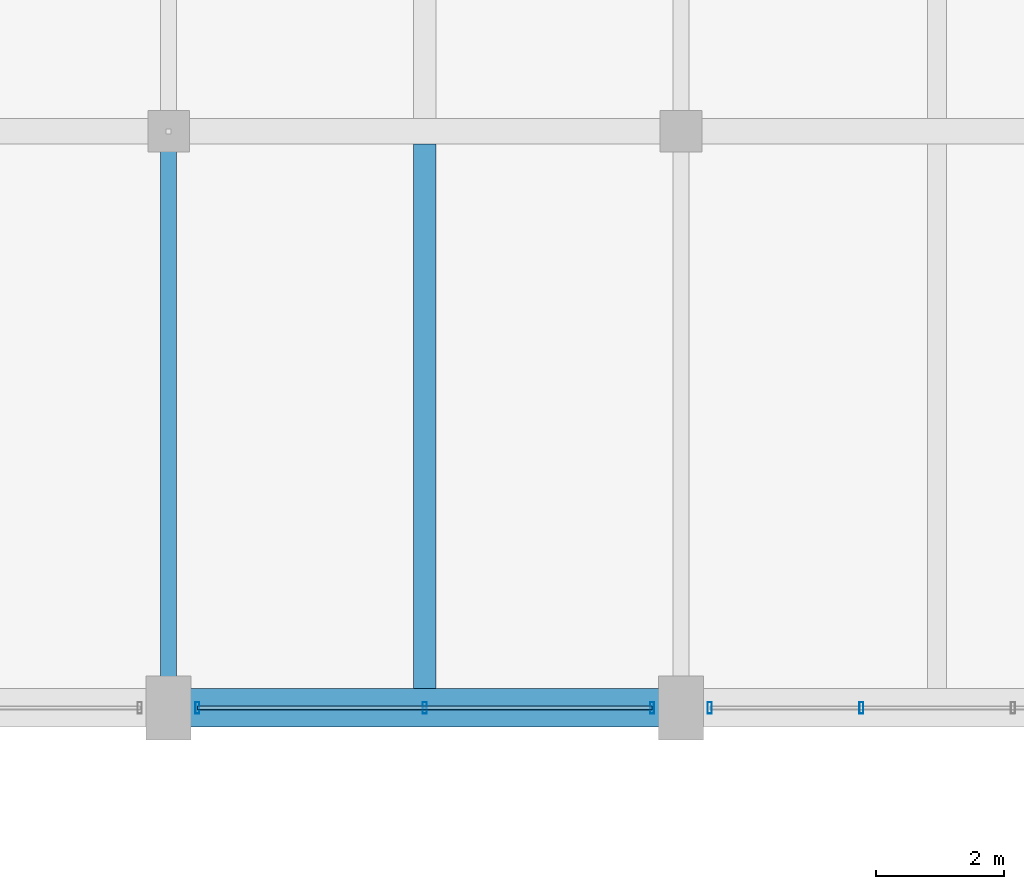
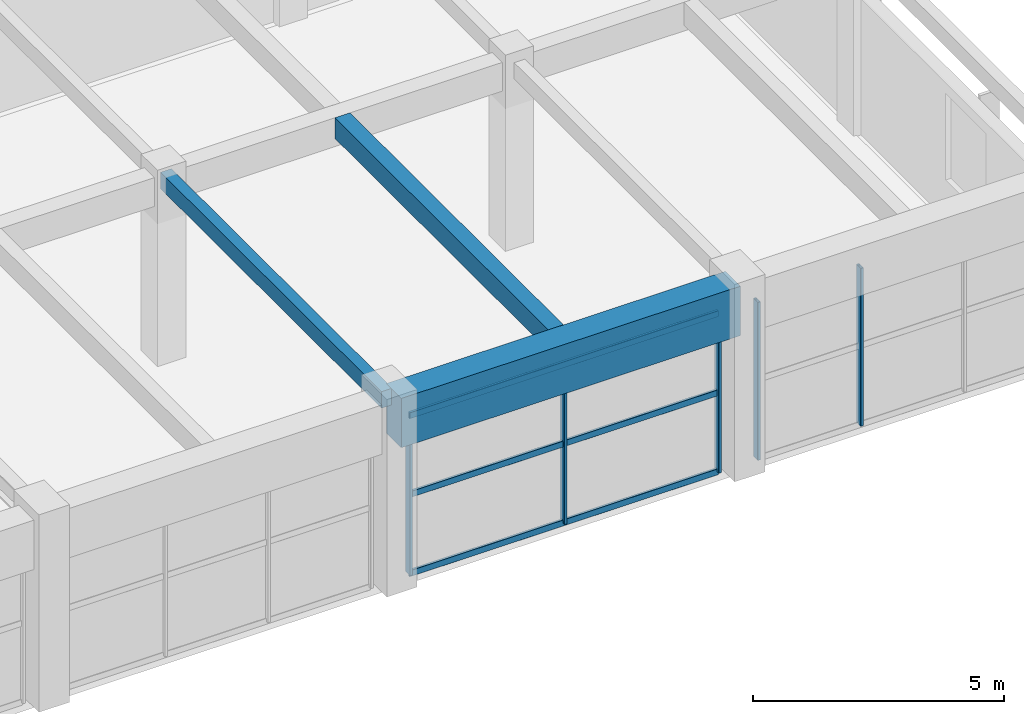
# One storey, part 89 of 144: 8 members, 3 beams, 2 elements without a shape of their own.
"""IFC4 building model written with IfcOpenShell, lengths in metres."""

from ifc_helpers import new_model, si_unit, direction, frame, origin, origin_2d, place, context, subcontext, project, spatial, rectangle, hollow_rectangle, extrude, material, material_profile, profile_set, type_object, element, aggregate, save


model = new_model("IFC4")

# Units and contexts
model_context = context("Model", 3, precision=1e-05, world=origin(), true_north=direction((0.0, 1.0)))
body_context = subcontext(model_context, "Body", "Model", "MODEL_VIEW")
ifc_project = project(units=[si_unit("LENGTHUNIT", "METRE"), si_unit("AREAUNIT", "SQUARE_METRE"), si_unit("VOLUMEUNIT", "CUBIC_METRE"), si_unit("PLANEANGLEUNIT", "RADIAN"), si_unit("MASSUNIT", "GRAM", prefix="KILO")], contexts=[model_context])

# Site, building, storey
site_placement = place(None, origin())
site = spatial("IfcSite", under=ifc_project, at=site_placement, CompositionType="ELEMENT")
building_placement = place(site_placement, origin())
building = spatial("IfcBuilding", under=site, at=building_placement, Name="Varnabhumi Central Station", CompositionType="ELEMENT")
storey_placement = place(building_placement, frame((0.0, 0.0, 4.800048828125)))
storey = spatial("IfcBuildingStorey", under=building, at=storey_placement, Name="L01", CompositionType="ELEMENT", Elevation=4.800048828125)

# Beams
ifc_material_1 = material(Name="Concrete M50", Category="concrete")
ifc_material_profile_1 = material_profile(ifc_material_1, rectangle(XDim=0.60009765625, YDim=1.199951171875, at=origin_2d()), Name="Concrete M50", Category="concrete")
ifc_profile_set_1 = profile_set([ifc_material_profile_1], Name="Concrete M50")
beam_type_1 = type_object("IfcBeamType", Name="BM-RC-1200x600", PredefinedType="BEAM", material=ifc_profile_set_1)
beam_1_placement = place(storey_placement, frame((144.10009765625, 80.0, 3.949951171875), z_axis=(1.0, 0.0, 0.0), x_axis=(0.0, 1.0, 0.0)))
element("IfcBeam", 1, at=beam_1_placement, inside=storey, type_object=beam_type_1, Name="Beam L01-K:19-20", PredefinedType="BEAM", context=body_context, shape_type="SweptSolid", body=[
    extrude(rectangle(XDim=0.60009765625, YDim=1.199951171875, at=origin_2d()), origin(), (0.0, 0.0, 1.0), 7.7998046875),
])
ifc_material_2 = material(Name="Concrete M35", Category="concrete")
ifc_material_profile_2 = material_profile(ifc_material_2, rectangle(XDim=0.25, YDim=0.39990234375, at=origin_2d()), Name="Concrete M35", Category="concrete")
ifc_profile_set_2 = profile_set([ifc_material_profile_2], Name="Concrete M35")
beam_type_2 = type_object("IfcBeamType", Name="BM-RC-250x400", PredefinedType="LINTEL", material=ifc_profile_set_2)
beam_2_placement = place(storey_placement, frame((144.0, 80.10009765625, 4.349853515625), z_axis=(0.0, 1.0, 0.0), x_axis=(-1.0, 0.0, 0.0)))
element("IfcBeam", 2, at=beam_2_placement, inside=storey, type_object=beam_type_2, Name="Beam L01-19:K-L", PredefinedType="LINTEL", context=body_context, shape_type="SweptSolid", body=[
    extrude(rectangle(XDim=0.25, YDim=0.39990234375, at=origin_2d()), origin(), (0.0, 0.0, 1.0), 8.7998046875),
])
ifc_material_3 = material(Name="Concrete M40", Category="concrete")
ifc_material_profile_3 = material_profile(ifc_material_3, rectangle(XDim=0.35009765625, YDim=0.5, at=origin_2d()), Name="Concrete M40", Category="concrete")
ifc_profile_set_3 = profile_set([ifc_material_profile_3], Name="Concrete M40")
beam_type_3 = type_object("IfcBeamType", Name="BM-RC-350x500", PredefinedType="JOIST", material=ifc_profile_set_3)
beam_3_placement = place(storey_placement, frame((148.0, 80.300048828125, 4.300048828125), z_axis=(0.0, 1.0, 0.0), x_axis=(-1.0, 0.0, 0.0)))
element("IfcBeam", 3, at=beam_3_placement, inside=storey, type_object=beam_type_3, Name="Secondary Joist L01-19/20:K-L", PredefinedType="JOIST", context=body_context, shape_type="SweptSolid", body=[
    extrude(rectangle(XDim=0.35009765625, YDim=0.5, at=origin_2d()), origin(), (0.0, 0.0, 1.0), 8.5),
])

# Curtain wall, members
ifc_material_4 = material(Name="Anodised aluminium 6063-T6", Category="aluminium")
curtain_wall_type_1 = type_object("IfcCurtainWallType", Name="CW-SPINE-SCREEN-L0", PredefinedType="NOTDEFINED", material=ifc_material_4)
curtain_wall_1_placement = place(storey_placement, origin())
curtain_wall_1 = element("IfcCurtainWall", 4, at=curtain_wall_1_placement, inside=storey, type_object=curtain_wall_type_1, Name="Curtain Wall CW-NS118", PredefinedType="NOTDEFINED")
ifc_material_profile_4 = material_profile(ifc_material_4, hollow_rectangle(XDim=0.06494140625, YDim=0.179931640625, WallThickness=0.00390625, InnerFilletRadius=0.001953125, OuterFilletRadius=0.006103515625, at=origin_2d()), Name="Anodised aluminium 6063-T6", Category="aluminium")
ifc_profile_set_4 = profile_set([ifc_material_profile_4], Name="Anodised aluminium 6063-T6")
member_type_1 = type_object("IfcMemberType", Name="CW-MUL-180", PredefinedType="MULLION", material=ifc_profile_set_4)
member_1_placement = place(storey_placement, frame((144.449951171875, 80.0, 0.0), z_axis=(0.0, 0.0, 1.0), x_axis=(1.0, 0.0, 0.0)))
member_1 = element("IfcMember", 5, at=member_1_placement, type_object=member_type_1, Name="Curtain Wall Mullion CW-NS118-M1", PredefinedType="MULLION", context=body_context, shape_type="SweptSolid", body=[
    extrude(hollow_rectangle(XDim=0.06494140625, YDim=0.179931640625, WallThickness=0.00390625, InnerFilletRadius=0.001953125, OuterFilletRadius=0.006103515625, at=origin_2d()), origin(), (0.0, 0.0, 1.0), 3.83984375),
])
member_2_placement = place(storey_placement, frame((148.0, 80.0, 0.0), z_axis=(0.0, 0.0, 1.0), x_axis=(1.0, 0.0, 0.0)))
member_2 = element("IfcMember", 6, at=member_2_placement, type_object=member_type_1, Name="Curtain Wall Mullion CW-NS118-M2", PredefinedType="MULLION", context=body_context, shape_type="SweptSolid", body=[
    extrude(hollow_rectangle(XDim=0.06494140625, YDim=0.179931640625, WallThickness=0.00390625, InnerFilletRadius=0.001953125, OuterFilletRadius=0.006103515625, at=origin_2d()), origin(), (0.0, 0.0, 1.0), 3.83984375),
])
member_3_placement = place(storey_placement, frame((151.550048828125, 80.0, 0.0), z_axis=(0.0, 0.0, 1.0), x_axis=(1.0, 0.0, 0.0)))
member_3 = element("IfcMember", 7, at=member_3_placement, type_object=member_type_1, Name="Curtain Wall Mullion CW-NS118-M3", PredefinedType="MULLION", context=body_context, shape_type="SweptSolid", body=[
    extrude(hollow_rectangle(XDim=0.06494140625, YDim=0.179931640625, WallThickness=0.00390625, InnerFilletRadius=0.001953125, OuterFilletRadius=0.006103515625, at=origin_2d()), origin(), (0.0, 0.0, 1.0), 3.83984375),
])

curtain_wall_type_2 = type_object("IfcCurtainWallType", Name="CW-STREET-PORTAL", PredefinedType="NOTDEFINED", material=ifc_material_4)
curtain_wall_2_placement = place(storey_placement, origin())
curtain_wall_2 = element("IfcCurtainWall", 8, at=curtain_wall_2_placement, inside=storey, type_object=curtain_wall_type_2, Name="Curtain Wall CW-NSP119", PredefinedType="NOTDEFINED")
member_4_placement = place(storey_placement, frame((152.449951171875, 80.0, 0.0), z_axis=(0.0, 0.0, 1.0), x_axis=(1.0, 0.0, 0.0)))
member_4 = element("IfcMember", 9, at=member_4_placement, type_object=member_type_1, Name="Curtain Wall Mullion CW-NSP119-M1", PredefinedType="MULLION", context=body_context, shape_type="SweptSolid", body=[
    extrude(hollow_rectangle(XDim=0.06494140625, YDim=0.179931640625, WallThickness=0.00390625, InnerFilletRadius=0.001953125, OuterFilletRadius=0.006103515625, at=origin_2d()), origin(), (0.0, 0.0, 1.0), 3.83984375),
])
member_5_placement = place(storey_placement, frame((154.816650390625, 80.0, 0.0), z_axis=(0.0, 0.0, 1.0), x_axis=(1.0, 0.0, 0.0)))
member_5 = element("IfcMember", 10, at=member_5_placement, type_object=member_type_1, Name="Curtain Wall Mullion CW-NSP119-M2", PredefinedType="MULLION", context=body_context, shape_type="SweptSolid", body=[
    extrude(hollow_rectangle(XDim=0.06494140625, YDim=0.179931640625, WallThickness=0.00390625, InnerFilletRadius=0.001953125, OuterFilletRadius=0.006103515625, at=origin_2d()), origin(), (0.0, 0.0, 1.0), 3.83984375),
])
aggregate(curtain_wall_2, [member_4, member_5])

# Member
ifc_material_profile_5 = material_profile(ifc_material_4, hollow_rectangle(XDim=0.06005859375, YDim=0.14990234375, WallThickness=0.00390625, InnerFilletRadius=0.001953125, OuterFilletRadius=0.006103515625, at=origin_2d()), Name="Anodised aluminium 6063-T6", Category="aluminium")
ifc_profile_set_5 = profile_set([ifc_material_profile_5], Name="Anodised aluminium 6063-T6")
member_type_2 = type_object("IfcMemberType", Name="CW-TR-150", PredefinedType="USERDEFINED", material=ifc_profile_set_5)
member_6_placement = place(storey_placement, frame((144.449951171875, 80.0, 0.0), z_axis=(1.0, 0.0, 0.0), x_axis=(0.0, 1.0, 0.0)))
member_6 = element("IfcMember", 11, at=member_6_placement, type_object=member_type_2, Name="Curtain Wall Transom CW-NS118-T1", ObjectType="TRANSOM", PredefinedType="USERDEFINED", context=body_context, shape_type="SweptSolid", body=[
    extrude(hollow_rectangle(XDim=0.06005859375, YDim=0.14990234375, WallThickness=0.00390625, InnerFilletRadius=0.001953125, OuterFilletRadius=0.006103515625, at=origin_2d()), origin(), (0.0, 0.0, 1.0), 7.10009765625),
])

member_7_placement = place(storey_placement, frame((144.449951171875, 80.0, 1.919921875), z_axis=(1.0, 0.0, 0.0), x_axis=(0.0, 1.0, 0.0)))
member_7 = element("IfcMember", 12, at=member_7_placement, type_object=member_type_2, Name="Curtain Wall Transom CW-NS118-T2", ObjectType="TRANSOM", PredefinedType="USERDEFINED", context=body_context, shape_type="SweptSolid", body=[
    extrude(hollow_rectangle(XDim=0.06005859375, YDim=0.14990234375, WallThickness=0.00390625, InnerFilletRadius=0.001953125, OuterFilletRadius=0.006103515625, at=origin_2d()), origin(), (0.0, 0.0, 1.0), 7.10009765625),
])

member_8_placement = place(storey_placement, frame((144.449951171875, 80.0, 3.83984375), z_axis=(1.0, 0.0, 0.0), x_axis=(0.0, 1.0, 0.0)))
member_8 = element("IfcMember", 13, at=member_8_placement, type_object=member_type_2, Name="Curtain Wall Transom CW-NS118-T3", ObjectType="TRANSOM", PredefinedType="USERDEFINED", context=body_context, shape_type="SweptSolid", body=[
    extrude(hollow_rectangle(XDim=0.06005859375, YDim=0.14990234375, WallThickness=0.00390625, InnerFilletRadius=0.001953125, OuterFilletRadius=0.006103515625, at=origin_2d()), origin(), (0.0, 0.0, 1.0), 7.10009765625),
])

aggregate(curtain_wall_1, [member_1, member_2, member_3, member_6, member_7, member_8])

save(model, "model.ifc")
